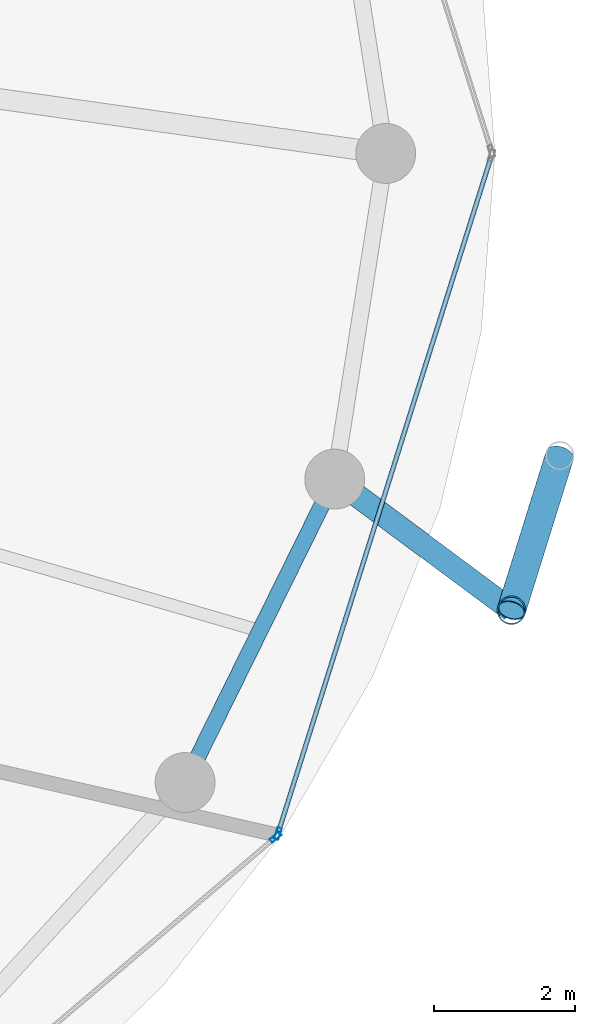
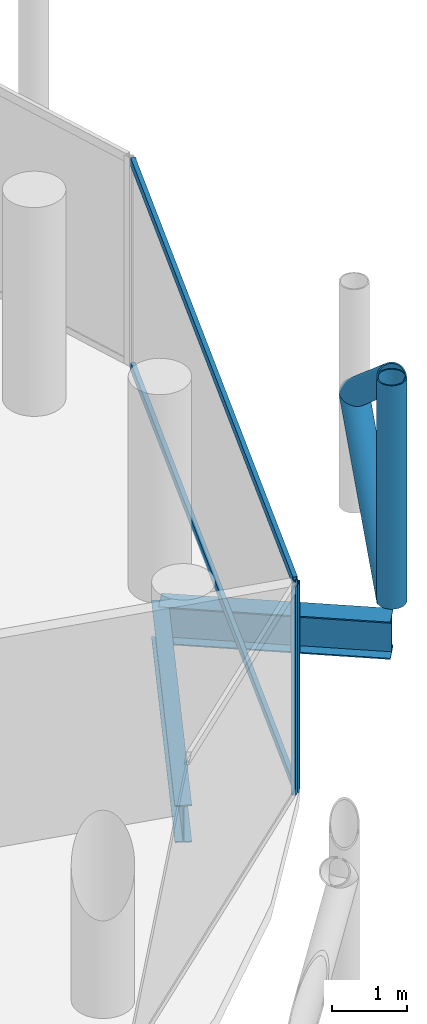
# One storey, part 13 of 27: 7 members, 2 beams, 2 elements without a shape of their own.
"""IFC4 building model written with IfcOpenShell, lengths in metres."""

from ifc_helpers import new_model, si_unit, direction, frame, origin, origin_2d, place, context, subcontext, project, spatial, hollow_rectangle, hollow_circle, i_section, extrude, material, layer, layer_set, material_profile, profile_set, type_object, element, aggregate, save


model = new_model("IFC4")

# Units and contexts
model_context = context("Model", 3, precision=1e-05, world=origin(), true_north=direction((0.0, 1.0)))
body_context = subcontext(model_context, "Body", "Model", "MODEL_VIEW")
ifc_project = project(units=[si_unit("LENGTHUNIT", "METRE"), si_unit("AREAUNIT", "SQUARE_METRE"), si_unit("VOLUMEUNIT", "CUBIC_METRE"), si_unit("PLANEANGLEUNIT", "RADIAN"), si_unit("MASSUNIT", "GRAM", prefix="KILO")], contexts=[model_context])

# Site, building, storey
site_placement = place(None, origin())
site = spatial("IfcSite", under=ifc_project, at=site_placement, CompositionType="ELEMENT")
building_placement = place(site_placement, origin())
building = spatial("IfcBuilding", under=site, at=building_placement, Name="Nuhasar Tower", CompositionType="ELEMENT")
storey_placement = place(building_placement, frame((0.0, 0.0, 211.800048828125)))
storey = spatial("IfcBuildingStorey", under=building, at=storey_placement, Name="L51", CompositionType="ELEMENT", Elevation=211.800048828125)

# Beams
ifc_material_1 = material(Name="Steel S355", Category="steel")
ifc_material_profile_1 = material_profile(ifc_material_1, i_section(OverallWidth=0.22802734375, OverallDepth=0.60791015625, WebThickness=0.01123046875, FlangeThickness=0.017333984375, at=origin_2d()), Name="W24X76")
ifc_profile_set_1 = profile_set([ifc_material_profile_1], Name="Steel S355")
beam_type_1 = type_object("IfcBeamType", Name="BM-RING-W24X76", PredefinedType="SPANDREL", material=ifc_profile_set_1)
beam_1_placement = place(storey_placement, frame((57.403076171875, 17.875, -0.5439453125), z_axis=(0.442262779282, 0.896885518928, 0.0), x_axis=(-0.896885518928, 0.442262779282, 0.0)))
element("IfcBeam", 1, at=beam_1_placement, inside=storey, type_object=beam_type_1, Name="L51 Perimeter Ring Spandrel 23", PredefinedType="SPANDREL", context=body_context, shape_type="SweptSolid", body=[
    extrude(i_section(OverallWidth=0.22802734375, OverallDepth=0.60791015625, WebThickness=0.01123046875, FlangeThickness=0.017333984375, at=origin_2d()), origin(), (0.0, 0.0, 1.0), 4.7998046875),
])
ifc_material_profile_2 = material_profile(ifc_material_1, i_section(OverallWidth=0.323974609375, OverallDepth=0.611083984375, WebThickness=0.0126953125, FlangeThickness=0.01904296875, at=origin_2d()), Name="W24X104")
ifc_profile_set_2 = profile_set([ifc_material_profile_2], Name="Steel S355")
beam_type_2 = type_object("IfcBeamType", Name="BM-TIE-W24X104", PredefinedType="BEAM", material=ifc_profile_set_2)
beam_2_placement = place(storey_placement, frame((59.52587890625, 22.179931640625, -0.545166015625), z_axis=(0.802983345014, -0.596001466131, 0.0), x_axis=(0.596001466131, 0.802983345014, 0.0)))
element("IfcBeam", 2, at=beam_2_placement, inside=storey, type_object=beam_type_2, Name="L51 Exoskeleton Node Tie Beam 12", PredefinedType="BEAM", context=body_context, shape_type="SweptSolid", body=[
    extrude(i_section(OverallWidth=0.323974609375, OverallDepth=0.611083984375, WebThickness=0.0126953125, FlangeThickness=0.01904296875, at=origin_2d()), origin(), (0.0, 0.0, 1.0), 3.122314453125),
])

# Curtain wall, member
ifc_material_2 = material(Name="Aluminium 6063-T6", Category="aluminium")
ifc_layer = layer(ifc_material_2, 0.18994140625)
ifc_layer_set = layer_set([ifc_layer], Name="Aluminium 6063-T6")
curtain_wall_type = type_object("IfcCurtainWallType", Name="CW-Z3-RES", PredefinedType="NOTDEFINED", material=ifc_layer_set)
curtain_wall_1_placement = place(storey_placement, origin())
curtain_wall_1 = element("IfcCurtainWall", 3, at=curtain_wall_1_placement, inside=storey, type_object=curtain_wall_type, Name="L51 Unitised Curtain Wall 11", PredefinedType="NOTDEFINED")
ifc_material_profile_3 = material_profile(ifc_material_2, hollow_rectangle(XDim=0.06494140625, YDim=0.169921875, WallThickness=0.0048828125, at=origin_2d()), Name="CWM-4")
ifc_profile_set_3 = profile_set([ifc_material_profile_3], Name="Aluminium 6063-T6")
member_type_1 = type_object("IfcMemberType", Name="CW-MUL-S4", PredefinedType="MULLION", material=ifc_profile_set_3)
member_1_placement = place(storey_placement, frame((58.686279296875, 17.098876953125, 0.0), z_axis=(0.0, 0.0, 1.0), x_axis=(-0.64789521578, 0.761729472562, 0.0)))
member_1 = element("IfcMember", 4, at=member_1_placement, type_object=member_type_1, Name="CW-Z3 mullion 2", PredefinedType="MULLION", context=body_context, shape_type="SweptSolid", body=[
    extrude(hollow_rectangle(XDim=0.06494140625, YDim=0.169921875, WallThickness=0.0048828125, at=origin_2d()), origin(), (0.0, 0.0, 1.0), 3.409912109375),
])
aggregate(curtain_wall_1, [member_1])

# Curtain wall, members
curtain_wall_2_placement = place(storey_placement, origin())
curtain_wall_2 = element("IfcCurtainWall", 5, at=curtain_wall_2_placement, inside=storey, type_object=curtain_wall_type, Name="L51 Unitised Curtain Wall 12", PredefinedType="NOTDEFINED")
member_2_placement = place(storey_placement, frame((58.720703125, 17.15087890625, 0.0), z_axis=(0.0, 0.0, 1.0), x_axis=(-0.95380429279, 0.30042864553, 0.0)))
member_2 = element("IfcMember", 6, at=member_2_placement, type_object=member_type_1, Name="CW-Z3 mullion 1", PredefinedType="MULLION", context=body_context, shape_type="SweptSolid", body=[
    extrude(hollow_rectangle(XDim=0.06494140625, YDim=0.169921875, WallThickness=0.0048828125, at=origin_2d()), origin(), (0.0, 0.0, 1.0), 3.409912109375),
])
ifc_material_profile_4 = material_profile(ifc_material_2, hollow_rectangle(XDim=0.06494140625, YDim=0.139892578125, WallThickness=0.00439453125, at=origin_2d()), Name="CWT-4")
ifc_profile_set_4 = profile_set([ifc_material_profile_4], Name="Aluminium 6063-T6")
member_type_2 = type_object("IfcMemberType", Name="CW-TRN-S4", PredefinedType="USERDEFINED", material=ifc_profile_set_4)
member_3_placement = place(storey_placement, frame((58.73046875, 17.181884765625, 0.032470703125), z_axis=(0.300430390604, 0.953803743126, 0.0), x_axis=(-0.953803743126, 0.300430390604, 0.0)))
member_3 = element("IfcMember", 7, at=member_3_placement, type_object=member_type_2, Name="CW-Z3 transom 1.1", ObjectType="TRANSOM", PredefinedType="USERDEFINED", context=body_context, shape_type="SweptSolid", body=[
    extrude(hollow_rectangle(XDim=0.06494140625, YDim=0.139892578125, WallThickness=0.00439453125, at=origin_2d()), origin(), (0.0, 0.0, 1.0), 10.01904296875),
])
member_4_placement = place(storey_placement, frame((58.73046875, 17.181884765625, 3.37744140625), z_axis=(0.300430390604, 0.953803743126, 0.0), x_axis=(-0.953803743126, 0.300430390604, 0.0)))
member_4 = element("IfcMember", 8, at=member_4_placement, type_object=member_type_2, Name="CW-Z3 transom 1.2", ObjectType="TRANSOM", PredefinedType="USERDEFINED", context=body_context, shape_type="SweptSolid", body=[
    extrude(hollow_rectangle(XDim=0.06494140625, YDim=0.139892578125, WallThickness=0.00439453125, at=origin_2d()), origin(), (0.0, 0.0, 1.0), 10.01904296875),
])
aggregate(curtain_wall_2, [member_2, member_3, member_4])

# Members
ifc_material_3 = material(Name="Steel S460", Category="steel")
ifc_material_profile_5 = material_profile(ifc_material_3, hollow_circle(Radius=0.203125, WallThickness=0.01904296875, at=origin_2d()), Name="HSS406.4X19.1")
ifc_profile_set_5 = profile_set([ifc_material_profile_5], Name="Steel S460")
member_type_3 = type_object("IfcMemberType", Name="EXO-BRONZE-406", PredefinedType="BRACE", material=ifc_profile_set_5)
member_5_placement = place(storey_placement, frame((62.032958984375, 20.319091796875, 0.0), z_axis=(0.0, 0.0, 1.0), x_axis=(1.0, 0.0, 0.0)))
element("IfcMember", 9, at=member_5_placement, inside=storey, type_object=member_type_3, Name="L51 Exoskeleton Chord Column EC-12A", PredefinedType="BRACE", context=body_context, shape_type="SweptSolid", body=[
    extrude(hollow_circle(Radius=0.203125, WallThickness=0.01904296875, at=origin_2d()), origin(), (0.0, 0.0, 1.0), 3.64990234375),
])
for number, where, z_axis, x_axis, name in (
    (10, (62.032958984375, 20.319091796875, 0.0), (0.233372423355, 0.747689980743, 0.621688832709), (-0.954581948223, 0.297948492404, 0.0), "L51 Bronze Diagrid Brace W1-12"),
    (11, (62.718017578125, 22.513916015625, 1.824951171875), (-0.233372423355, -0.747689980743, 0.621688832709), (0.954581948223, -0.297948492404, 0.0), "L51 Bronze Diagrid Brace W2-12"),
):
    element("IfcMember", number, at=place(storey_placement, frame(where, z_axis=z_axis, x_axis=x_axis)), inside=storey, type_object=member_type_3, Name=name, PredefinedType="BRACE", context=body_context, shape_type="SweptSolid", body=[
        extrude(hollow_circle(Radius=0.203125, WallThickness=0.01904296875, at=origin_2d()), origin(), (0.0, 0.0, 1.0), 2.935546875),
    ])

save(model, "model.ifc")
